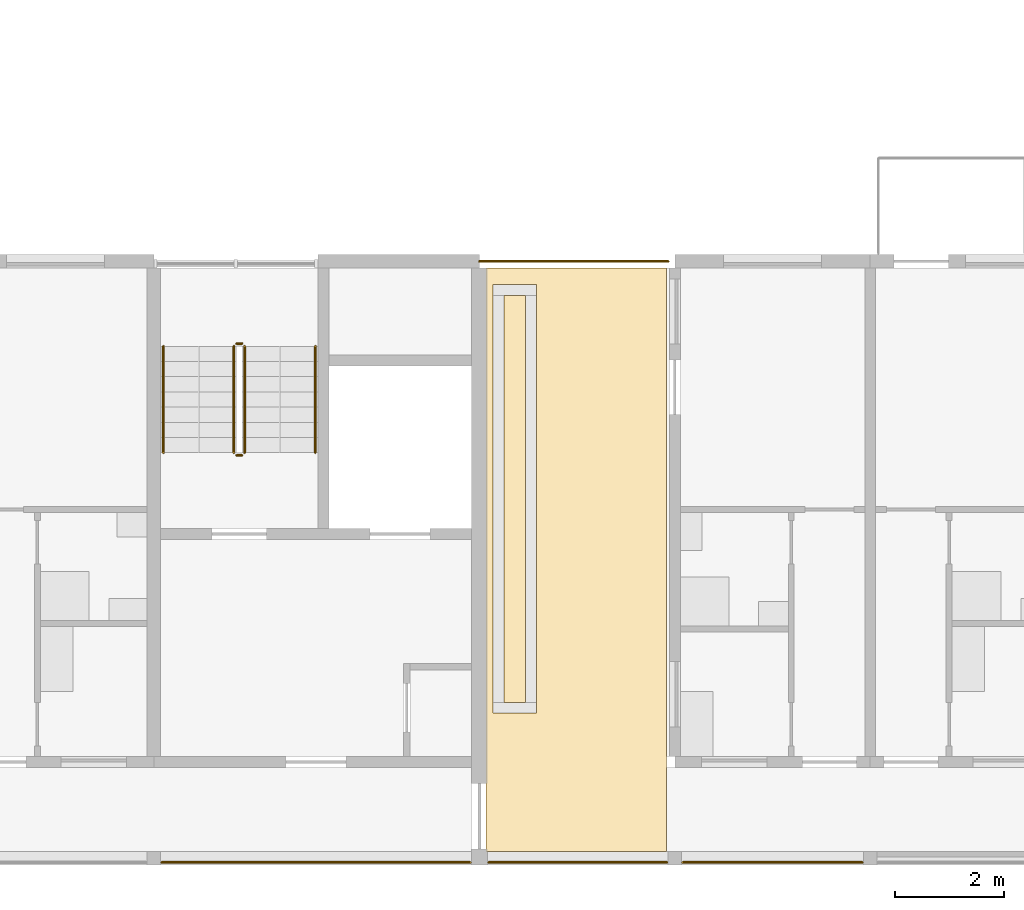
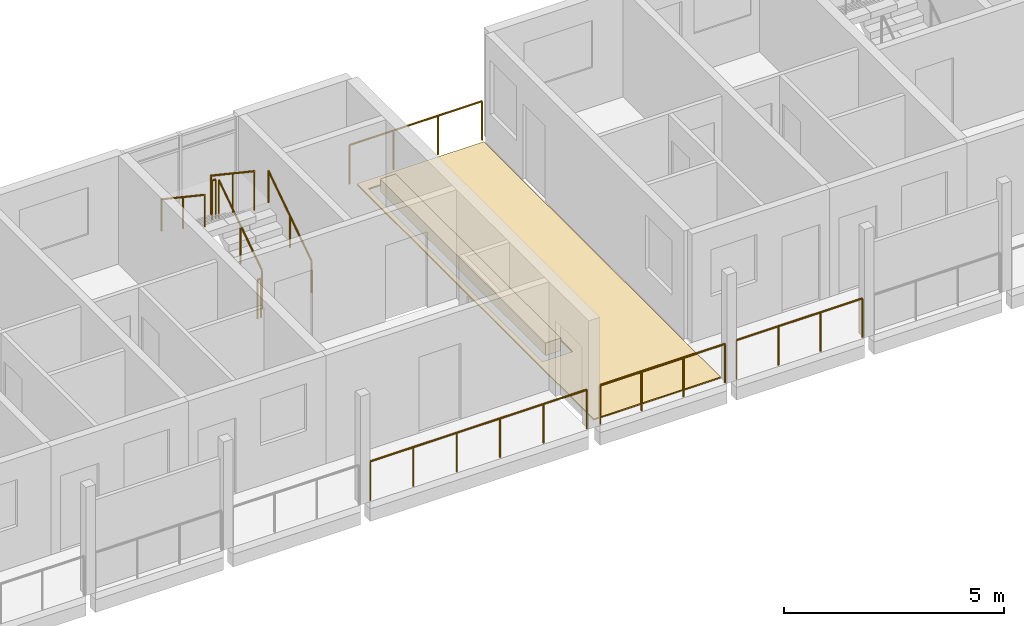
# One storey, part 56 of 64: 10 railings, 3 coverings.
"""IFC4 building model written with IfcOpenShell, lengths in metres."""

from ifc_helpers import new_model, si_unit, direction, frame, origin, origin_2d, place, context, subcontext, project, spatial, polyline, circle, outline, extrude, material, layer, layer_set, type_object, element, save


model = new_model("IFC4")

# Units and contexts
model_context = context("Model", 3, precision=1e-05, world=origin(), true_north=direction((0.0, 1.0)))
body_context = subcontext(model_context, "Body", "Model", "MODEL_VIEW")
ifc_project = project(units=[si_unit("LENGTHUNIT", "METRE"), si_unit("AREAUNIT", "SQUARE_METRE"), si_unit("VOLUMEUNIT", "CUBIC_METRE"), si_unit("PLANEANGLEUNIT", "RADIAN"), si_unit("MASSUNIT", "GRAM", prefix="KILO")], contexts=[model_context])

# Site, building, storey
site_placement = place(None, origin())
site = spatial("IfcSite", under=ifc_project, at=site_placement, CompositionType="ELEMENT")
building_placement = place(site_placement, origin())
building = spatial("IfcBuilding", under=site, at=building_placement, Name="Ridgestep Commons", CompositionType="ELEMENT")
storey_placement = place(building_placement, frame((0.0, 0.0, 33.0)))
storey = spatial("IfcBuildingStorey", under=building, at=storey_placement, Name="L11", CompositionType="ELEMENT", Elevation=33.0)

# Railings
ifc_material_1 = material(Name="Structural steel S355JR", Category="steel")
railing_type_1 = type_object("IfcRailingType", Name="Guard 1100", PredefinedType="GUARDRAIL", material=ifc_material_1)
railing_1_placement = place(storey_placement, frame((197.199951171875, 22.875, 0.0)))
element("IfcRailing", 1, at=railing_1_placement, inside=storey, type_object=railing_type_1, Name="Guard TD-D4R1-GD", PredefinedType="GUARDRAIL", context=body_context, shape_type="SweptSolid", body=[
    extrude(circle(Radius=0.02392578125, at=origin_2d()), frame((0.0, 0.0, 1.076171875), z_axis=(1.0, 0.0, 0.0), x_axis=(0.0, 1.0, 0.0)), (0.0, 0.0, 1.0), 3.47900390625),
    extrude(circle(Radius=0.02099609375, at=origin_2d()), origin(), (0.0, 0.0, 1.0), 1.052001953125),
    extrude(circle(Radius=0.02099609375, at=origin_2d()), frame((1.15966796875, 0.0, 0.0)), (0.0, 0.0, 1.0), 1.052001953125),
    extrude(circle(Radius=0.02099609375, at=origin_2d()), frame((2.3193359375, 0.0, 0.0)), (0.0, 0.0, 1.0), 1.052001953125),
    extrude(circle(Radius=0.02099609375, at=origin_2d()), frame((3.47900390625, 0.0, 0.0)), (0.0, 0.0, 1.0), 1.052001953125),
])
railing_2_placement = place(storey_placement, frame((191.345947265625, 11.800048828125, 0.0)))
element("IfcRailing", 2, at=railing_2_placement, inside=storey, type_object=railing_type_1, Name="Gallery guard D 11.10", PredefinedType="GUARDRAIL", context=body_context, shape_type="SweptSolid", body=[
    extrude(circle(Radius=0.02392578125, at=origin_2d()), frame((0.0, 0.0, 1.076171875), z_axis=(1.0, 0.0, 0.0), x_axis=(0.0, 1.0, 0.0)), (0.0, 0.0, 1.0), 5.68310546875),
    extrude(circle(Radius=0.02099609375, at=origin_2d()), origin(), (0.0, 0.0, 1.0), 1.052001953125),
    extrude(circle(Radius=0.02099609375, at=origin_2d()), frame((1.13671875, 0.0, 0.0)), (0.0, 0.0, 1.0), 1.052001953125),
    extrude(circle(Radius=0.02099609375, at=origin_2d()), frame((2.273193359375, 0.0, 0.0)), (0.0, 0.0, 1.0), 1.052001953125),
    extrude(circle(Radius=0.02099609375, at=origin_2d()), frame((3.409912109375, 0.0, 0.0)), (0.0, 0.0, 1.0), 1.052001953125),
    extrude(circle(Radius=0.02099609375, at=origin_2d()), frame((4.54638671875, 0.0, 0.0)), (0.0, 0.0, 1.0), 1.052001953125),
    extrude(circle(Radius=0.02099609375, at=origin_2d()), frame((5.68310546875, 0.0, 0.0)), (0.0, 0.0, 1.0), 1.052001953125),
])
railing_3_placement = place(storey_placement, frame((197.37109375, 11.800048828125, 0.0)))
element("IfcRailing", 3, at=railing_3_placement, inside=storey, type_object=railing_type_1, Name="Gallery guard D 11.11", PredefinedType="GUARDRAIL", context=body_context, shape_type="SweptSolid", body=[
    extrude(circle(Radius=0.02392578125, at=origin_2d()), frame((0.0, 0.0, 1.076171875), z_axis=(1.0, 0.0, 0.0), x_axis=(0.0, 1.0, 0.0)), (0.0, 0.0, 1.0), 3.282958984375),
    extrude(circle(Radius=0.02099609375, at=origin_2d()), origin(), (0.0, 0.0, 1.0), 1.052001953125),
    extrude(circle(Radius=0.02099609375, at=origin_2d()), frame((1.09423828125, 0.0, 0.0)), (0.0, 0.0, 1.0), 1.052001953125),
    extrude(circle(Radius=0.02099609375, at=origin_2d()), frame((2.188720703125, 0.0, 0.0)), (0.0, 0.0, 1.0), 1.052001953125),
    extrude(circle(Radius=0.02099609375, at=origin_2d()), frame((3.282958984375, 0.0, 0.0)), (0.0, 0.0, 1.0), 1.052001953125),
])
railing_4_placement = place(storey_placement, frame((200.946044921875, 11.800048828125, 0.0)))
element("IfcRailing", 4, at=railing_4_placement, inside=storey, type_object=railing_type_1, Name="Gallery guard D 11.12", PredefinedType="GUARDRAIL", context=body_context, shape_type="SweptSolid", body=[
    extrude(circle(Radius=0.02392578125, at=origin_2d()), frame((0.0, 0.0, 1.076171875), z_axis=(1.0, 0.0, 0.0), x_axis=(0.0, 1.0, 0.0)), (0.0, 0.0, 1.0), 3.307861328125),
    extrude(circle(Radius=0.02099609375, at=origin_2d()), origin(), (0.0, 0.0, 1.0), 1.052001953125),
    extrude(circle(Radius=0.02099609375, at=origin_2d()), frame((1.1025390625, 0.0, 0.0)), (0.0, 0.0, 1.0), 1.052001953125),
    extrude(circle(Radius=0.02099609375, at=origin_2d()), frame((2.205322265625, 0.0, 0.0)), (0.0, 0.0, 1.0), 1.052001953125),
    extrude(circle(Radius=0.02099609375, at=origin_2d()), frame((3.307861328125, 0.0, 0.0)), (0.0, 0.0, 1.0), 1.052001953125),
])

# Covering
ifc_material_2 = material(Name="Planting soil")
ifc_layer_1 = layer(ifc_material_2, 0.35009765625)
ifc_layer_set_1 = layer_set([ifc_layer_1], Name="Planting soil 350")
covering_type_1 = type_object("IfcCoveringType", Name="Planting soil 350", PredefinedType="FLOORING", material=ifc_layer_set_1)
covering_1_placement = place(storey_placement, frame((0.0, 0.0, 0.010009765625)))
element("IfcCovering", 5, at=covering_1_placement, inside=storey, type_object=covering_type_1, Name="Planting soil D4R1", PredefinedType="FLOORING", context=body_context, shape_type="SweptSolid", body=[
    extrude(outline(polyline([(197.64990234375, 14.75), (198.050048828125, 14.75), (198.050048828125, 22.25), (197.64990234375, 22.25), (197.64990234375, 14.75)])), origin(), (0.0, 0.0, 1.0), 0.35009765625),
])

# Railings
ifc_material_3 = material(Name="Structural steel S355JR", Category="steel")
railing_type_2 = type_object("IfcRailingType", Name="Stair guard 1100", PredefinedType="GUARDRAIL", material=ifc_material_3)
railing_5_placement = place(storey_placement, frame((192.875, 19.35009765625, 0.1875)))
element("IfcRailing", 6, at=railing_5_placement, inside=storey, type_object=railing_type_2, Name="L11 D3C stair guard 1", PredefinedType="GUARDRAIL", context=body_context, shape_type="SweptSolid", body=[
    extrude(circle(Radius=0.02392578125, at=origin_2d()), frame((0.0, 0.0, 1.076171875), z_axis=(0.0, 0.830902050051, 0.556418712142), x_axis=(-1.0, 0.0, 0.0)), (0.0, 0.0, 1.0), 2.35888671875),
    extrude(circle(Radius=0.02099609375, at=origin_2d()), origin(), (0.0, 0.0, 1.0), 1.052001953125),
    extrude(circle(Radius=0.02099609375, at=origin_2d()), frame((0.0, 0.97998046875, 0.65625)), (0.0, 0.0, 1.0), 1.052001953125),
    extrude(circle(Radius=0.02099609375, at=origin_2d()), frame((0.0, 1.9599609375, 1.3125)), (0.0, 0.0, 1.0), 1.052001953125),
])
railing_6_placement = place(storey_placement, frame((192.824951171875, 21.360107421875, 1.5)))
element("IfcRailing", 7, at=railing_6_placement, inside=storey, type_object=railing_type_2, Name="L11 D3C stair guard 2", PredefinedType="GUARDRAIL", context=body_context, shape_type="SweptSolid", body=[
    extrude(circle(Radius=0.02392578125, at=origin_2d()), frame((0.0, 0.0, 1.076171875), z_axis=(-1.0, 0.0, 0.0), x_axis=(0.0, -1.0, 0.0)), (0.0, 0.0, 1.0), 0.099853515625),
    extrude(circle(Radius=0.02099609375, at=origin_2d()), origin(), (0.0, 0.0, 1.0), 1.052001953125),
    extrude(circle(Radius=0.02099609375, at=origin_2d()), frame((-0.099853515625, 0.0, 0.0)), (0.0, 0.0, 1.0), 1.052001953125),
])
railing_7_placement = place(storey_placement, frame((192.675048828125, 21.31005859375, 1.6875)))
element("IfcRailing", 8, at=railing_7_placement, inside=storey, type_object=railing_type_2, Name="L11 D3C stair guard 3", PredefinedType="GUARDRAIL", context=body_context, shape_type="SweptSolid", body=[
    extrude(circle(Radius=0.02392578125, at=origin_2d()), frame((0.0, 0.0, 1.076171875), z_axis=(0.0, -0.830902050051, 0.556418712142), x_axis=(1.0, 0.0, 0.0)), (0.0, 0.0, 1.0), 2.35888671875),
    extrude(circle(Radius=0.02099609375, at=origin_2d()), origin(), (0.0, 0.0, 1.0), 1.052001953125),
    extrude(circle(Radius=0.02099609375, at=origin_2d()), frame((0.0, -0.97998046875, 0.65625)), (0.0, 0.0, 1.0), 1.052001953125),
    extrude(circle(Radius=0.02099609375, at=origin_2d()), frame((0.0, -1.9599609375, 1.3125)), (0.0, 0.0, 1.0), 1.052001953125),
])
railing_8_placement = place(storey_placement, frame((192.824951171875, 19.300048828125, 0.0)))
element("IfcRailing", 9, at=railing_8_placement, inside=storey, type_object=railing_type_2, Name="L11 D3C stair guard 4", PredefinedType="GUARDRAIL", context=body_context, shape_type="SweptSolid", body=[
    extrude(circle(Radius=0.02392578125, at=origin_2d()), frame((0.0, 0.0, 1.076171875), z_axis=(-1.0, 0.0, 0.0), x_axis=(0.0, -1.0, 0.0)), (0.0, 0.0, 1.0), 0.099853515625),
    extrude(circle(Radius=0.02099609375, at=origin_2d()), origin(), (0.0, 0.0, 1.0), 1.052001953125),
    extrude(circle(Radius=0.02099609375, at=origin_2d()), frame((-0.099853515625, 0.0, 0.0)), (0.0, 0.0, 1.0), 1.052001953125),
])
ifc_material_4 = material(Name="Structural steel S355JR", Category="steel")
railing_type_3 = type_object("IfcRailingType", Name="Stair handrail 900", PredefinedType="HANDRAIL", material=ifc_material_4)
railing_9_placement = place(storey_placement, frame((194.175048828125, 19.35009765625, 0.1875)))
element("IfcRailing", 10, at=railing_9_placement, inside=storey, type_object=railing_type_3, Name="L11 D3C stair handrail 1", PredefinedType="HANDRAIL", context=body_context, shape_type="SweptSolid", body=[
    extrude(circle(Radius=0.02392578125, at=origin_2d()), frame((0.0, 0.0, 0.8759765625), z_axis=(0.0, 0.830902050051, 0.556418712142), x_axis=(-1.0, 0.0, 0.0)), (0.0, 0.0, 1.0), 2.35888671875),
    extrude(circle(Radius=0.02099609375, at=origin_2d()), origin(), (0.0, 0.0, 1.0), 0.851806640625),
    extrude(circle(Radius=0.02099609375, at=origin_2d()), frame((0.0, 0.97998046875, 0.65625)), (0.0, 0.0, 1.0), 0.851806640625),
    extrude(circle(Radius=0.02099609375, at=origin_2d()), frame((0.0, 1.9599609375, 1.3125)), (0.0, 0.0, 1.0), 0.851806640625),
])
railing_10_placement = place(storey_placement, frame((191.375, 21.31005859375, 1.6875)))
element("IfcRailing", 11, at=railing_10_placement, inside=storey, type_object=railing_type_3, Name="L11 D3C stair handrail 2", PredefinedType="HANDRAIL", context=body_context, shape_type="SweptSolid", body=[
    extrude(circle(Radius=0.02392578125, at=origin_2d()), frame((0.0, 0.0, 0.8759765625), z_axis=(0.0, -0.830902050051, 0.556418712142), x_axis=(1.0, 0.0, 0.0)), (0.0, 0.0, 1.0), 2.35888671875),
    extrude(circle(Radius=0.02099609375, at=origin_2d()), origin(), (0.0, 0.0, 1.0), 0.851806640625),
    extrude(circle(Radius=0.02099609375, at=origin_2d()), frame((0.0, -0.97998046875, 0.65625)), (0.0, 0.0, 1.0), 0.851806640625),
    extrude(circle(Radius=0.02099609375, at=origin_2d()), frame((0.0, -1.9599609375, 1.3125)), (0.0, 0.0, 1.0), 0.851806640625),
])

# Coverings
ifc_material_5 = material(Name="Bitumen membrane, two layer")
ifc_layer_2 = layer(ifc_material_5, 0.010009765625)
ifc_layer_set_2 = layer_set([ifc_layer_2], Name="Terrace membrane 10")
covering_type_2 = type_object("IfcCoveringType", Name="Terrace membrane 10", PredefinedType="ROOFING", material=ifc_layer_set_2)
covering_2_placement = place(storey_placement, origin())
element("IfcCovering", 12, at=covering_2_placement, inside=storey, type_object=covering_type_2, Name="Terrace membrane D4R1", PredefinedType="ROOFING", context=body_context, shape_type="SweptSolid", body=[
    extrude(outline(polyline([(200.64990234375, 12.0), (200.64990234375, 22.75), (197.324951171875, 22.75), (197.324951171875, 12.0), (200.64990234375, 12.0)]), holes=[polyline([(198.25, 14.550048828125), (198.25, 22.449951171875), (197.449951171875, 22.449951171875), (197.449951171875, 14.550048828125), (198.25, 14.550048828125)])]), origin(), (0.0, 0.0, 1.0), 0.010009765625),
])
ifc_material_6 = material(Name="Concrete paving slab", Category="concrete")
ifc_layer_3 = layer(ifc_material_6, 0.030029296875)
ifc_layer_set_3 = layer_set([ifc_layer_3], Name="Terrace paving 30")
covering_type_3 = type_object("IfcCoveringType", Name="Terrace paving 30", PredefinedType="FLOORING", material=ifc_layer_set_3)
covering_3_placement = place(storey_placement, frame((0.0, 0.0, 0.010009765625)))
element("IfcCovering", 13, at=covering_3_placement, inside=storey, type_object=covering_type_3, Name="Terrace paving D4R1", PredefinedType="FLOORING", context=body_context, shape_type="SweptSolid", body=[
    extrude(outline(polyline([(200.64990234375, 12.0), (200.64990234375, 22.75), (197.324951171875, 22.75), (197.324951171875, 12.0), (200.64990234375, 12.0)]), holes=[polyline([(198.25, 14.550048828125), (198.25, 22.449951171875), (197.449951171875, 22.449951171875), (197.449951171875, 14.550048828125), (198.25, 14.550048828125)])]), origin(), (0.0, 0.0, 1.0), 0.030029296875),
])

save(model, "model.ifc")
